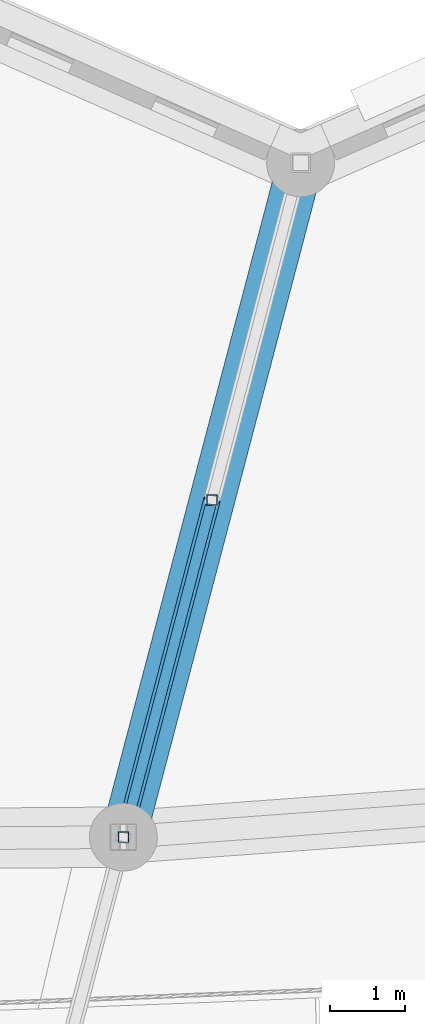
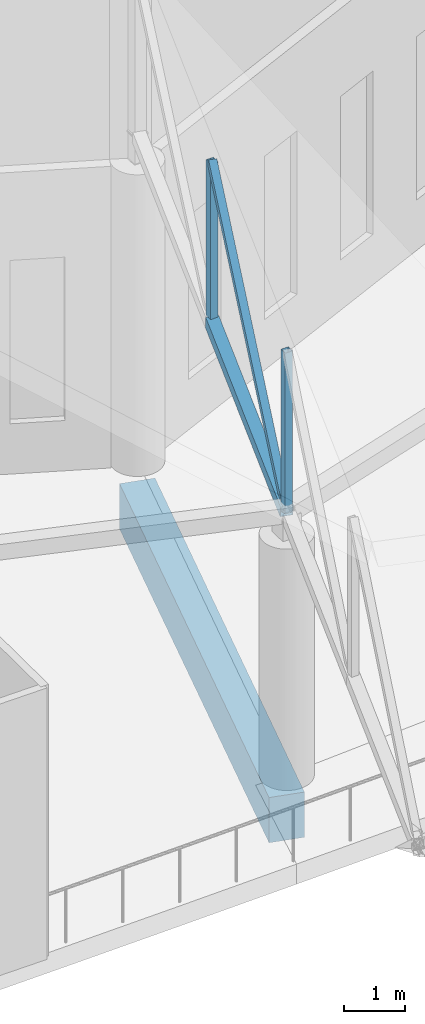
# One storey, part 170 of 344: 4 members, 1 beam.
"""IFC4 building model written with IfcOpenShell, lengths in metres."""

from ifc_helpers import new_model, si_unit, direction, frame, origin, origin_2d, place, context, subcontext, project, spatial, rectangle, hollow_rectangle, extrude, material, material_profile, profile_set, type_object, element, save


model = new_model("IFC4")

# Units and contexts
model_context = context("Model", 3, precision=1e-05, world=origin(), true_north=direction((0.0, 1.0)))
body_context = subcontext(model_context, "Body", "Model", "MODEL_VIEW")
ifc_project = project(units=[si_unit("LENGTHUNIT", "METRE"), si_unit("AREAUNIT", "SQUARE_METRE"), si_unit("VOLUMEUNIT", "CUBIC_METRE"), si_unit("PLANEANGLEUNIT", "RADIAN"), si_unit("MASSUNIT", "GRAM", prefix="KILO")], contexts=[model_context])

# Site, building, storey
site_placement = place(None, origin())
site = spatial("IfcSite", under=ifc_project, at=site_placement, CompositionType="ELEMENT")
building_placement = place(site_placement, origin())
building = spatial("IfcBuilding", under=site, at=building_placement, Name="Meseta Stadium", CompositionType="ELEMENT")
storey_placement = place(building_placement, frame((0.0, 0.0, 24.0)))
storey = spatial("IfcBuildingStorey", under=building, at=storey_placement, Name="L04", CompositionType="ELEMENT", Elevation=24.0)

# Beam
ifc_material_1 = material(Name="Concrete C40/50", Category="concrete")
ifc_material_profile_1 = material_profile(ifc_material_1, rectangle(XDim=0.60009765625, YDim=0.89990234375, at=origin_2d()), Name="RC 600x900")
ifc_profile_set_1 = profile_set([ifc_material_profile_1], Name="Concrete C40/50")
beam_type = type_object("IfcBeamType", Name="RC beam 600x900", PredefinedType="BEAM", material=ifc_profile_set_1)
beam_placement = place(storey_placement, frame((20.649658203125, 89.65625, -0.85009765625), z_axis=(0.254159308712, 0.967162367855, 0.0), x_axis=(-0.967162367855, 0.254159308712, 0.0)))
element("IfcBeam", 1, at=beam_placement, inside=storey, type_object=beam_type, Name="L04 radial beam frame 17 line P to R", PredefinedType="BEAM", context=body_context, shape_type="SweptSolid", body=[
    extrude(rectangle(XDim=0.60009765625, YDim=0.89990234375, at=origin_2d()), origin(), (0.0, 0.0, 1.0), 9.24755859375),
])

# Members
ifc_material_2 = material(Name="Steel S355", Category="steel")
ifc_material_profile_2 = material_profile(ifc_material_2, hollow_rectangle(XDim=0.139892578125, YDim=0.139892578125, WallThickness=0.0048828125, at=origin_2d()), Name="SHS 140x140x5")
ifc_profile_set_2 = profile_set([ifc_material_profile_2], Name="Steel S355")
member_type_1 = type_object("IfcMemberType", Name="SHS 140x140x5 diagonal", PredefinedType="BRACE", material=ifc_profile_set_2)
member_1_placement = place(storey_placement, frame((20.649658203125, 89.65625, 5.247802734375), z_axis=(0.195375214434, 0.743546187989, 0.639505740327), x_axis=(-0.967168857221, 0.25413461319, 0.0)))
element("IfcMember", 2, at=member_1_placement, inside=storey, type_object=member_type_1, Name="ROOF TRUSS RT-17 diagonal", PredefinedType="BRACE", context=body_context, shape_type="SweptSolid", body=[
    extrude(hollow_rectangle(XDim=0.139892578125, YDim=0.139892578125, WallThickness=0.0048828125, at=origin_2d()), origin(), (0.0, 0.0, 1.0), 6.014404296875),
])
ifc_material_3 = material(Name="Steel S355", Category="steel")
ifc_material_profile_3 = material_profile(ifc_material_3, hollow_rectangle(XDim=0.139892578125, YDim=0.139892578125, WallThickness=0.0048828125, at=origin_2d()), Name="SHS 140x140x5")
ifc_profile_set_3 = profile_set([ifc_material_profile_3], Name="Steel S355")
member_type_2 = type_object("IfcMemberType", Name="SHS 140x140x5 post", PredefinedType="POST", material=ifc_profile_set_3)
for number, where, z_axis, x_axis, name in (
    (3, (20.649658203125, 89.65625, 5.247802734375), (0.0, 0.0, 1.0), (1.0, 0.0, 0.0), "ROOF TRUSS RT-17 post"),
    (4, (21.82470703125, 94.128173828125, 5.89404296875), (0.0, 0.0, 1.0), (1.0, 0.0, 0.0), "ROOF TRUSS RT-17 post"),
):
    element("IfcMember", number, at=place(storey_placement, frame(where, z_axis=z_axis, x_axis=x_axis)), inside=storey, type_object=member_type_2, Name=name, PredefinedType="POST", context=body_context, shape_type="SweptSolid", body=[
        extrude(hollow_rectangle(XDim=0.139892578125, YDim=0.139892578125, WallThickness=0.0048828125, at=origin_2d()), origin(), (0.0, 0.0, 1.0), 3.199951171875),
    ])
ifc_material_4 = material(Name="Steel S355", Category="steel")
ifc_material_profile_4 = material_profile(ifc_material_4, hollow_rectangle(XDim=0.219970703125, YDim=0.219970703125, WallThickness=0.008056640625, at=origin_2d()), Name="SHS 220x220x8")
ifc_profile_set_4 = profile_set([ifc_material_profile_4], Name="Steel S355")
member_type_3 = type_object("IfcMemberType", Name="SHS 220x220x8 bottom chord", PredefinedType="CHORD", material=ifc_profile_set_4)
member_2_placement = place(storey_placement, frame((20.649658203125, 89.65625, 5.247802734375), z_axis=(0.251688192856, 0.957858431028, 0.138420662059), x_axis=(-0.967168857221, 0.25413461319, 0.0)))
element("IfcMember", 5, at=member_2_placement, inside=storey, type_object=member_type_3, Name="ROOF TRUSS RT-17 bottom chord", PredefinedType="CHORD", context=body_context, shape_type="SweptSolid", body=[
    extrude(hollow_rectangle(XDim=0.219970703125, YDim=0.219970703125, WallThickness=0.008056640625, at=origin_2d()), origin(), (0.0, 0.0, 1.0), 4.668701171875),
])

save(model, "model.ifc")
